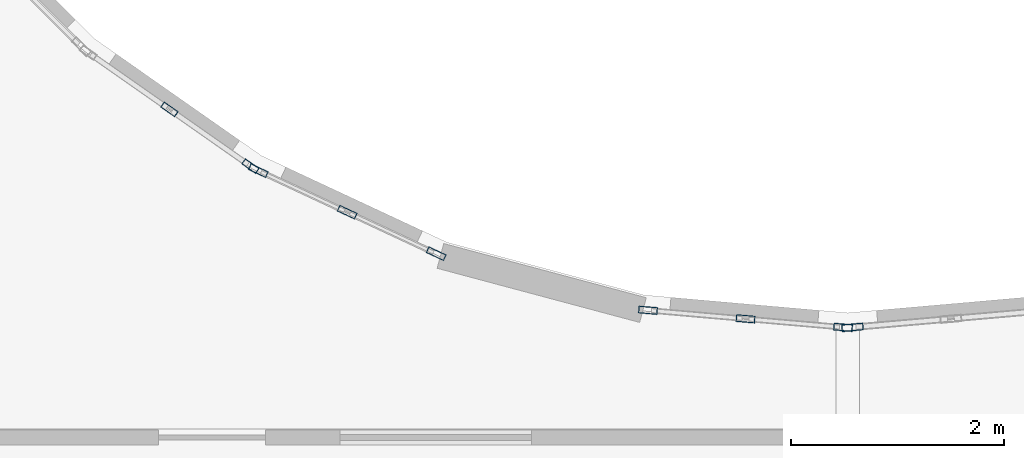
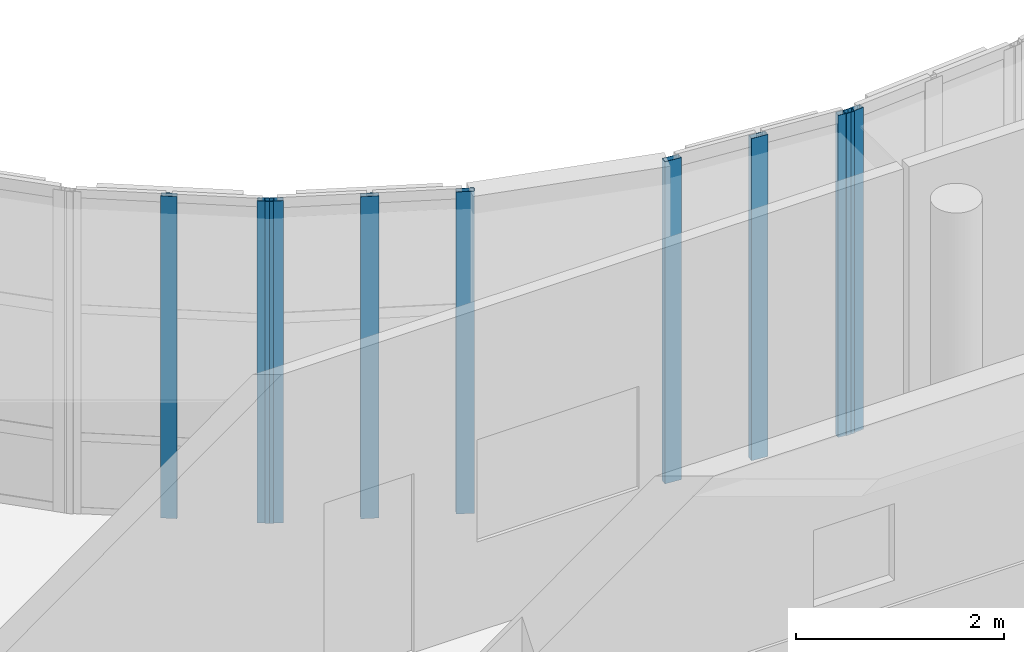
# One storey, part 21 of 105: 9 members, 4 elements without a shape of their own.
"""IFC4 building model written with IfcOpenShell, lengths in metres."""

from ifc_helpers import new_model, si_unit, direction, frame, origin, origin_2d, place, context, subcontext, project, spatial, hollow_rectangle, extrude, material, layer, layer_set, material_profile, profile_set, type_object, element, aggregate, save


model = new_model("IFC4")

# Units and contexts
model_context = context("Model", 3, precision=1e-05, world=origin(), true_north=direction((0.0, 1.0)))
body_context = subcontext(model_context, "Body", "Model", "MODEL_VIEW")
ifc_project = project(units=[si_unit("LENGTHUNIT", "METRE"), si_unit("AREAUNIT", "SQUARE_METRE"), si_unit("VOLUMEUNIT", "CUBIC_METRE"), si_unit("PLANEANGLEUNIT", "RADIAN"), si_unit("MASSUNIT", "GRAM", prefix="KILO")], contexts=[model_context])

# Site, building, storey
site_placement = place(None, origin())
site = spatial("IfcSite", under=ifc_project, at=site_placement, CompositionType="ELEMENT")
building_placement = place(site_placement, origin())
building = spatial("IfcBuilding", under=site, at=building_placement, Name="Kelanivale Promenade Academy", CompositionType="ELEMENT")
storey_placement = place(building_placement, frame((0.0, 0.0, 4.199951171875)))
storey = spatial("IfcBuildingStorey", under=building, at=storey_placement, Name="L01", CompositionType="ELEMENT", Elevation=4.199951171875)

# Curtain wall, members
ifc_material_1 = material(Name="Bronze anodised aluminium and solar-control low-E glass", Category="aluminium")
ifc_layer_1 = layer(ifc_material_1, 0.159912109375)
ifc_layer_set_1 = layer_set([ifc_layer_1], Name="Bronze anodised aluminium and solar-control low-E glass")
curtain_wall_type_1 = type_object("IfcCurtainWallType", Name="CW-21 Curtain Wall 1650mm Module", PredefinedType="USERDEFINED", material=ifc_layer_set_1)
curtain_wall_1_placement = place(storey_placement, origin())
curtain_wall_1 = element("IfcCurtainWall", 1, at=curtain_wall_1_placement, inside=storey, type_object=curtain_wall_type_1, Name="L01 courtyard curtain wall CW-21", ObjectType="COURTYARD SCREEN GLAZING", PredefinedType="USERDEFINED")
ifc_material_2 = material(Name="Bronze anodised aluminium EN AW-6063 T6", Category="aluminium")
ifc_material_profile_1 = material_profile(ifc_material_2, hollow_rectangle(XDim=0.06005859375, YDim=0.159912109375, WallThickness=0.00390625, at=origin_2d()), Name="ALU 60x160x4.0")
ifc_profile_set_1 = profile_set([ifc_material_profile_1], Name="Bronze anodised aluminium EN AW-6063 T6")
member_type_1 = type_object("IfcMemberType", Name="CWM-01 ALU 60x160x4.0", PredefinedType="MULLION", material=ifc_profile_set_1)
member_1_placement = place(storey_placement, frame((57.034423828125, 47.708984375, 0.0), z_axis=(0.0, 0.0, 1.0), x_axis=(0.573567324515, 0.81915842439, 0.0)))
member_1 = element("IfcMember", 2, at=member_1_placement, type_object=member_type_1, Name="CW-21 mullion 2", PredefinedType="MULLION", context=body_context, shape_type="SweptSolid", body=[
    extrude(hollow_rectangle(XDim=0.06005859375, YDim=0.159912109375, WallThickness=0.00390625, at=origin_2d()), origin(), (0.0, 0.0, 1.0), 3.780029296875),
])
member_2_placement = place(storey_placement, frame((57.79541015625, 47.17626953125, 0.0), z_axis=(0.0, 0.0, 1.0), x_axis=(0.573567324515, 0.81915842439, 0.0)))
member_2 = element("IfcMember", 3, at=member_2_placement, type_object=member_type_1, Name="CW-21 mullion 3", PredefinedType="MULLION", context=body_context, shape_type="SweptSolid", body=[
    extrude(hollow_rectangle(XDim=0.06005859375, YDim=0.159912109375, WallThickness=0.00390625, at=origin_2d()), origin(), (0.0, 0.0, 1.0), 3.780029296875),
])
aggregate(curtain_wall_1, [member_1, member_2])

ifc_layer_2 = layer(ifc_material_1, 0.169921875)
ifc_layer_set_2 = layer_set([ifc_layer_2], Name="Bronze anodised aluminium and solar-control low-E glass")
curtain_wall_type_2 = type_object("IfcCurtainWallType", Name="CW-22 Curtain Wall 1800mm Module", PredefinedType="USERDEFINED", material=ifc_layer_set_2)
curtain_wall_2_placement = place(storey_placement, origin())
curtain_wall_2 = element("IfcCurtainWall", 4, at=curtain_wall_2_placement, inside=storey, type_object=curtain_wall_type_2, Name="L01 courtyard curtain wall CW-22", ObjectType="COURTYARD SCREEN GLAZING", PredefinedType="USERDEFINED")
ifc_material_profile_2 = material_profile(ifc_material_2, hollow_rectangle(XDim=0.06005859375, YDim=0.179931640625, WallThickness=0.00390625, at=origin_2d()), Name="ALU 60x180x4.0")
ifc_profile_set_2 = profile_set([ifc_material_profile_2], Name="Bronze anodised aluminium EN AW-6063 T6")
member_type_2 = type_object("IfcMemberType", Name="CWM-02 ALU 60x180x4.0", PredefinedType="MULLION", material=ifc_profile_set_2)
member_3_placement = place(storey_placement, frame((57.8681640625, 47.13427734375, 0.0), z_axis=(0.0, 0.0, 1.0), x_axis=(0.423086860887, 0.906089128146, 0.0)))
member_3 = element("IfcMember", 5, at=member_3_placement, type_object=member_type_2, Name="CW-22 mullion 1", PredefinedType="MULLION", context=body_context, shape_type="SweptSolid", body=[
    extrude(hollow_rectangle(XDim=0.06005859375, YDim=0.179931640625, WallThickness=0.00390625, at=origin_2d()), origin(), (0.0, 0.0, 1.0), 3.780029296875),
])
member_4_placement = place(storey_placement, frame((58.702880859375, 46.744384765625, 0.0), z_axis=(0.0, 0.0, 1.0), x_axis=(0.423086860887, 0.906089128146, 0.0)))
member_4 = element("IfcMember", 6, at=member_4_placement, type_object=member_type_2, Name="CW-22 mullion 2", PredefinedType="MULLION", context=body_context, shape_type="SweptSolid", body=[
    extrude(hollow_rectangle(XDim=0.06005859375, YDim=0.179931640625, WallThickness=0.00390625, at=origin_2d()), origin(), (0.0, 0.0, 1.0), 3.780029296875),
])
member_5_placement = place(storey_placement, frame((59.537841796875, 46.354736328125, 0.0), z_axis=(0.0, 0.0, 1.0), x_axis=(0.423086860887, 0.906089128146, 0.0)))
member_5 = element("IfcMember", 7, at=member_5_placement, type_object=member_type_2, Name="CW-22 mullion 3", PredefinedType="MULLION", context=body_context, shape_type="SweptSolid", body=[
    extrude(hollow_rectangle(XDim=0.06005859375, YDim=0.179931640625, WallThickness=0.00390625, at=origin_2d()), origin(), (0.0, 0.0, 1.0), 3.780029296875),
])
aggregate(curtain_wall_2, [member_3, member_4, member_5])

ifc_layer_3 = layer(ifc_material_1, 0.179931640625)
ifc_layer_set_3 = layer_set([ifc_layer_3], Name="Bronze anodised aluminium and solar-control low-E glass")
curtain_wall_type_3 = type_object("IfcCurtainWallType", Name="CW-23 Curtain Wall 1950mm Module", PredefinedType="USERDEFINED", material=ifc_layer_set_3)
curtain_wall_3_placement = place(storey_placement, origin())
curtain_wall_3 = element("IfcCurtainWall", 8, at=curtain_wall_3_placement, inside=storey, type_object=curtain_wall_type_3, Name="L01 courtyard curtain wall CW-23", ObjectType="COURTYARD SCREEN GLAZING", PredefinedType="USERDEFINED")
ifc_material_profile_3 = material_profile(ifc_material_2, hollow_rectangle(XDim=0.06494140625, YDim=0.175048828125, WallThickness=0.00390625, at=origin_2d()), Name="ALU 65x175x4.0")
ifc_profile_set_3 = profile_set([ifc_material_profile_3], Name="Bronze anodised aluminium EN AW-6063 T6")
member_type_3 = type_object("IfcMemberType", Name="CWM-03 ALU 65x175x4.0", PredefinedType="MULLION", material=ifc_profile_set_3)
member_6_placement = place(storey_placement, frame((61.525390625, 45.82421875, 0.0), z_axis=(0.0, 0.0, 1.0), x_axis=(0.087264768066, 0.996185153601, 0.0)))
member_6 = element("IfcMember", 9, at=member_6_placement, type_object=member_type_3, Name="CW-23 mullion 1", PredefinedType="MULLION", context=body_context, shape_type="SweptSolid", body=[
    extrude(hollow_rectangle(XDim=0.06494140625, YDim=0.175048828125, WallThickness=0.00390625, at=origin_2d()), origin(), (0.0, 0.0, 1.0), 3.780029296875),
])
member_7_placement = place(storey_placement, frame((62.4404296875, 45.743896484375, 0.0), z_axis=(0.0, 0.0, 1.0), x_axis=(0.087264768066, 0.996185153601, 0.0)))
member_7 = element("IfcMember", 10, at=member_7_placement, type_object=member_type_3, Name="CW-23 mullion 2", PredefinedType="MULLION", context=body_context, shape_type="SweptSolid", body=[
    extrude(hollow_rectangle(XDim=0.06494140625, YDim=0.175048828125, WallThickness=0.00390625, at=origin_2d()), origin(), (0.0, 0.0, 1.0), 3.780029296875),
])
member_8_placement = place(storey_placement, frame((63.355712890625, 45.663818359375, 0.0), z_axis=(0.0, 0.0, 1.0), x_axis=(0.087264768066, 0.996185153601, 0.0)))
member_8 = element("IfcMember", 11, at=member_8_placement, type_object=member_type_3, Name="CW-23 mullion 3", PredefinedType="MULLION", context=body_context, shape_type="SweptSolid", body=[
    extrude(hollow_rectangle(XDim=0.06494140625, YDim=0.175048828125, WallThickness=0.00390625, at=origin_2d()), origin(), (0.0, 0.0, 1.0), 3.780029296875),
])
aggregate(curtain_wall_3, [member_6, member_7, member_8])

# Curtain wall, member
ifc_layer_4 = layer(ifc_material_1, 0.159912109375)
ifc_layer_set_4 = layer_set([ifc_layer_4], Name="Bronze anodised aluminium and solar-control low-E glass")
curtain_wall_type_4 = type_object("IfcCurtainWallType", Name="CW-24 Curtain Wall 1200mm Module", PredefinedType="USERDEFINED", material=ifc_layer_set_4)
curtain_wall_4_placement = place(storey_placement, origin())
curtain_wall_4 = element("IfcCurtainWall", 12, at=curtain_wall_4_placement, inside=storey, type_object=curtain_wall_type_4, Name="L01 courtyard curtain wall CW-24", ObjectType="COURTYARD SCREEN GLAZING", PredefinedType="USERDEFINED")
ifc_material_profile_4 = material_profile(ifc_material_2, hollow_rectangle(XDim=0.06494140625, YDim=0.199951171875, WallThickness=0.00439453125, at=origin_2d()), Name="ALU 65x200x4.5")
ifc_profile_set_4 = profile_set([ifc_material_profile_4], Name="Bronze anodised aluminium EN AW-6063 T6")
member_type_4 = type_object("IfcMemberType", Name="CWM-04 ALU 65x200x4.5", PredefinedType="MULLION", material=ifc_profile_set_4)
member_9_placement = place(storey_placement, frame((63.4443359375, 45.663818359375, 0.0), z_axis=(0.0, 0.0, 1.0), x_axis=(-0.087102249164, 0.996199376727, 0.0)))
member_9 = element("IfcMember", 13, at=member_9_placement, type_object=member_type_4, Name="CW-24 mullion 1", PredefinedType="MULLION", context=body_context, shape_type="SweptSolid", body=[
    extrude(hollow_rectangle(XDim=0.06494140625, YDim=0.199951171875, WallThickness=0.00439453125, at=origin_2d()), origin(), (0.0, 0.0, 1.0), 3.780029296875),
])
aggregate(curtain_wall_4, [member_9])

save(model, "model.ifc")
